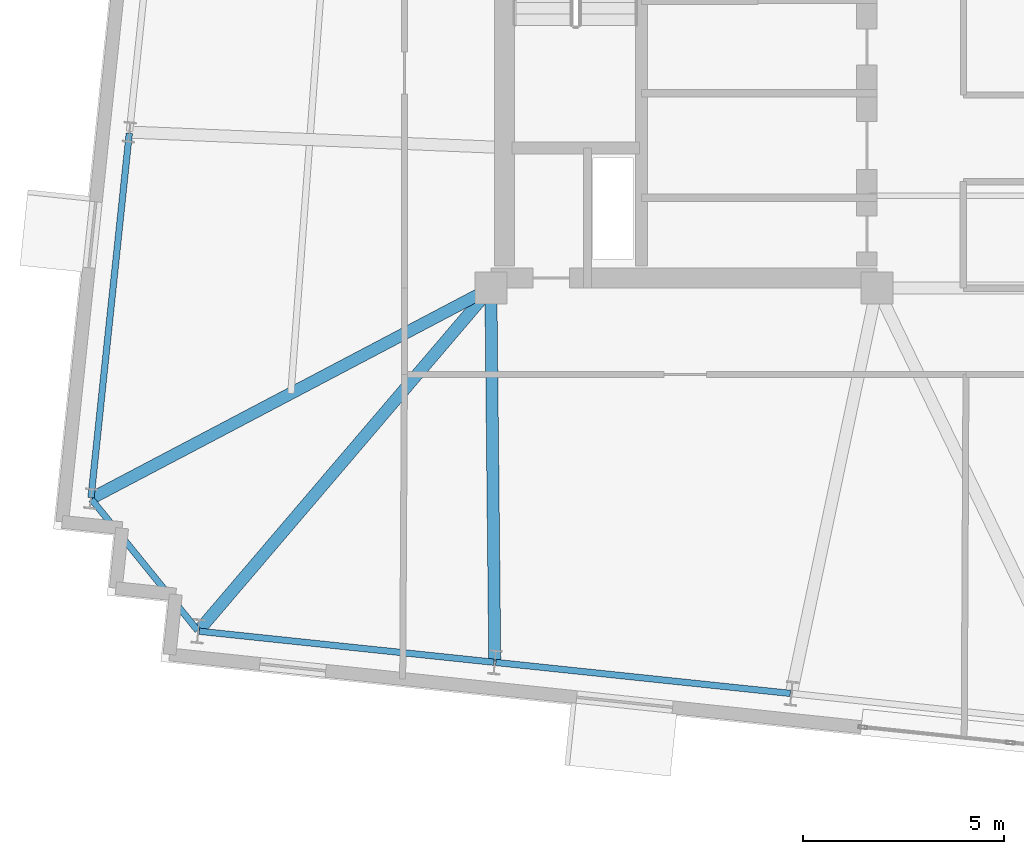
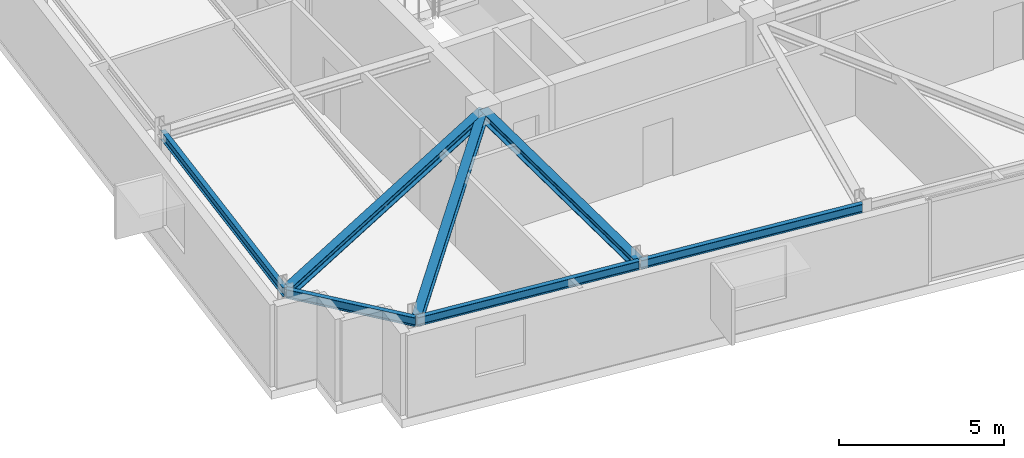
# One storey, part 4 of 12: 7 beams.
"""IFC4 building model written with IfcOpenShell, lengths in metres."""

from ifc_helpers import new_model, si_unit, direction, frame, origin, origin_2d, place, context, subcontext, project, spatial, i_section, extrude, material, material_profile, profile_set, type_object, element, save


model = new_model("IFC4")

# Units and contexts
model_context = context("Model", 3, precision=1e-05, world=origin(), true_north=direction((0.0, 1.0)))
body_context = subcontext(model_context, "Body", "Model", "MODEL_VIEW")
ifc_project = project(units=[si_unit("LENGTHUNIT", "METRE"), si_unit("AREAUNIT", "SQUARE_METRE"), si_unit("VOLUMEUNIT", "CUBIC_METRE"), si_unit("PLANEANGLEUNIT", "RADIAN"), si_unit("MASSUNIT", "GRAM", prefix="KILO")], contexts=[model_context])

# Site, building, storey
site_placement = place(None, origin())
site = spatial("IfcSite", under=ifc_project, at=site_placement, CompositionType="ELEMENT")
building_placement = place(site_placement, origin())
building = spatial("IfcBuilding", under=site, at=building_placement, Name="Qobustan Lattice House", CompositionType="ELEMENT")
storey_placement = place(building_placement, frame((0.0, 0.0, 203.10009765625)))
storey = spatial("IfcBuildingStorey", under=building, at=storey_placement, Name="L57", CompositionType="ELEMENT", Elevation=203.10009765625)

# Beams
ifc_material_1 = material(Name="Steel S355", Category="steel")
ifc_material_profile_1 = material_profile(ifc_material_1, i_section(OverallWidth=0.300048828125, OverallDepth=0.360107421875, WebThickness=0.012451171875, FlangeThickness=0.0224609375, FilletRadius=0.027099609375, at=origin_2d()), Name="HEB360")
ifc_profile_set_1 = profile_set([ifc_material_profile_1], Name="Steel S355")
beam_type_1 = type_object("IfcBeamType", Name="BM-FLG-HEB360", PredefinedType="USERDEFINED", material=ifc_profile_set_1)
beam_1_placement = place(storey_placement, frame((-26.062744140625, -14.113525390625, 2.85986328125), z_axis=(0.649006911642, 0.760782510736, 0.0), x_axis=(-0.760782510736, 0.649006911642, 0.0)))
element("IfcBeam", 1, at=beam_1_placement, inside=storey, type_object=beam_type_1, Name="L57 primary floor girder RAD-S1W", ObjectType="GIRDER", PredefinedType="USERDEFINED", context=body_context, shape_type="SweptSolid", body=[
    extrude(i_section(OverallWidth=0.300048828125, OverallDepth=0.360107421875, WebThickness=0.012451171875, FlangeThickness=0.0224609375, FilletRadius=0.027099609375, at=origin_2d()), origin(), (0.0, 0.0, 1.0), 11.16552734375),
])
beam_2_placement = place(storey_placement, frame((-18.703125, -14.8828125, 2.85986328125), z_axis=(-0.010442468578, 0.999945475939, 0.0), x_axis=(-0.999945475939, -0.010442468578, 0.0)))
element("IfcBeam", 2, at=beam_2_placement, inside=storey, type_object=beam_type_1, Name="L57 primary floor girder RAD-S2", ObjectType="GIRDER", PredefinedType="USERDEFINED", context=body_context, shape_type="SweptSolid", body=[
    extrude(i_section(OverallWidth=0.300048828125, OverallDepth=0.360107421875, WebThickness=0.012451171875, FlangeThickness=0.0224609375, FilletRadius=0.027099609375, at=origin_2d()), origin(), (0.0, 0.0, 1.0), 9.25830078125),
])
beam_3_placement = place(storey_placement, frame((-28.726806640625, -10.82373046875, 2.85986328125), z_axis=(0.884950868639, 0.465684399669, 0.0), x_axis=(-0.465684399669, 0.884950868639, 0.0)))
element("IfcBeam", 3, at=beam_3_placement, inside=storey, type_object=beam_type_1, Name="L57 primary floor girder RAD-W4", ObjectType="GIRDER", PredefinedType="USERDEFINED", context=body_context, shape_type="SweptSolid", body=[
    extrude(i_section(OverallWidth=0.300048828125, OverallDepth=0.360107421875, WebThickness=0.012451171875, FlangeThickness=0.0224609375, FilletRadius=0.027099609375, at=origin_2d()), origin(), (0.0, 0.0, 1.0), 11.1923828125),
])
ifc_material_2 = material(Name="Steel S355", Category="steel")
ifc_material_profile_2 = material_profile(ifc_material_2, i_section(OverallWidth=0.159912109375, OverallDepth=0.330078125, WebThickness=0.007568359375, FlangeThickness=0.011474609375, FilletRadius=0.01806640625, at=origin_2d()), Name="IPE330")
ifc_profile_set_2 = profile_set([ifc_material_profile_2], Name="Steel S355")
beam_type_2 = type_object("IfcBeamType", Name="BM-SPD-IPE330", PredefinedType="SPANDREL", material=ifc_profile_set_2)
beam_4_placement = place(storey_placement, frame((-26.05419921875, -14.135009765625, 2.875), z_axis=(0.99452214685, -0.104526070551, 0.0), x_axis=(0.104526070551, 0.99452214685, 0.0)))
element("IfcBeam", 4, at=beam_4_placement, inside=storey, type_object=beam_type_2, Name="L57 perimeter spandrel S1-S2", PredefinedType="SPANDREL", context=body_context, shape_type="SweptSolid", body=[
    extrude(i_section(OverallWidth=0.159912109375, OverallDepth=0.330078125, WebThickness=0.007568359375, FlangeThickness=0.011474609375, FilletRadius=0.01806640625, at=origin_2d()), origin(), (0.0, 0.0, 1.0), 7.36669921875),
])
beam_5_placement = place(storey_placement, frame((-18.677978515625, -14.910400390625, 2.875), z_axis=(0.994521784746, -0.104529515765, 0.0), x_axis=(0.104529515765, 0.994521784746, 0.0)))
element("IfcBeam", 5, at=beam_5_placement, inside=storey, type_object=beam_type_2, Name="L57 perimeter spandrel S2-S3", PredefinedType="SPANDREL", context=body_context, shape_type="SweptSolid", body=[
    extrude(i_section(OverallWidth=0.159912109375, OverallDepth=0.330078125, WebThickness=0.007568359375, FlangeThickness=0.011474609375, FilletRadius=0.01806640625, at=origin_2d()), origin(), (0.0, 0.0, 1.0), 7.366455078125),
])
beam_6_placement = place(storey_placement, frame((-27.79345703125, -1.743896484375, 2.875), z_axis=(-0.104524466745, -0.994522315412, 0.0), x_axis=(0.994522315412, -0.104524466745, 0.0)))
element("IfcBeam", 6, at=beam_6_placement, inside=storey, type_object=beam_type_2, Name="L57 perimeter spandrel W3-W4", PredefinedType="SPANDREL", context=body_context, shape_type="SweptSolid", body=[
    extrude(i_section(OverallWidth=0.159912109375, OverallDepth=0.330078125, WebThickness=0.007568359375, FlangeThickness=0.011474609375, FilletRadius=0.01806640625, at=origin_2d()), origin(), (0.0, 0.0, 1.0), 9.116455078125),
])
beam_7_placement = place(storey_placement, frame((-28.733154296875, -10.854736328125, 2.875), z_axis=(0.629307107299, -0.777156718239, 0.0), x_axis=(0.777156718239, 0.629307107299, 0.0)))
element("IfcBeam", 7, at=beam_7_placement, inside=storey, type_object=beam_type_2, Name="L57 perimeter spandrel W4-S1", PredefinedType="SPANDREL", context=body_context, shape_type="SweptSolid", body=[
    extrude(i_section(OverallWidth=0.159912109375, OverallDepth=0.330078125, WebThickness=0.007568359375, FlangeThickness=0.011474609375, FilletRadius=0.01806640625, at=origin_2d()), origin(), (0.0, 0.0, 1.0), 4.192626953125),
])

save(model, "model.ifc")
